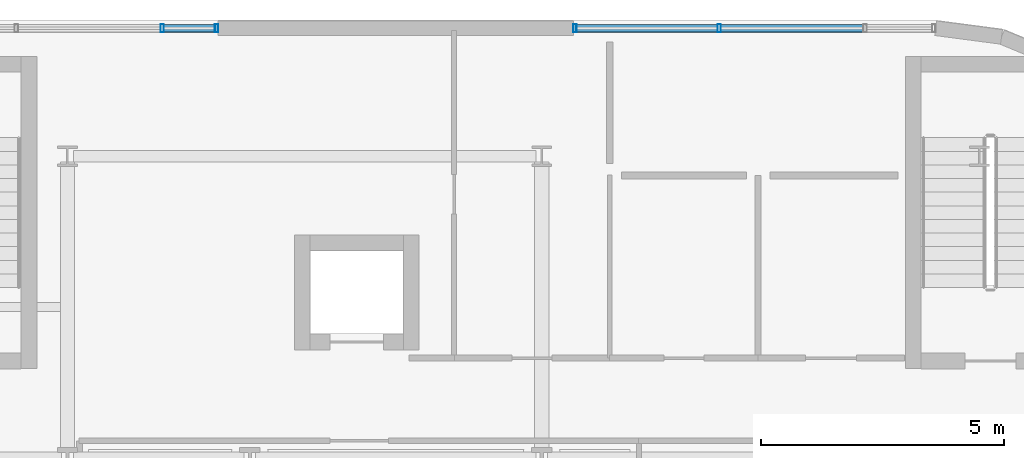
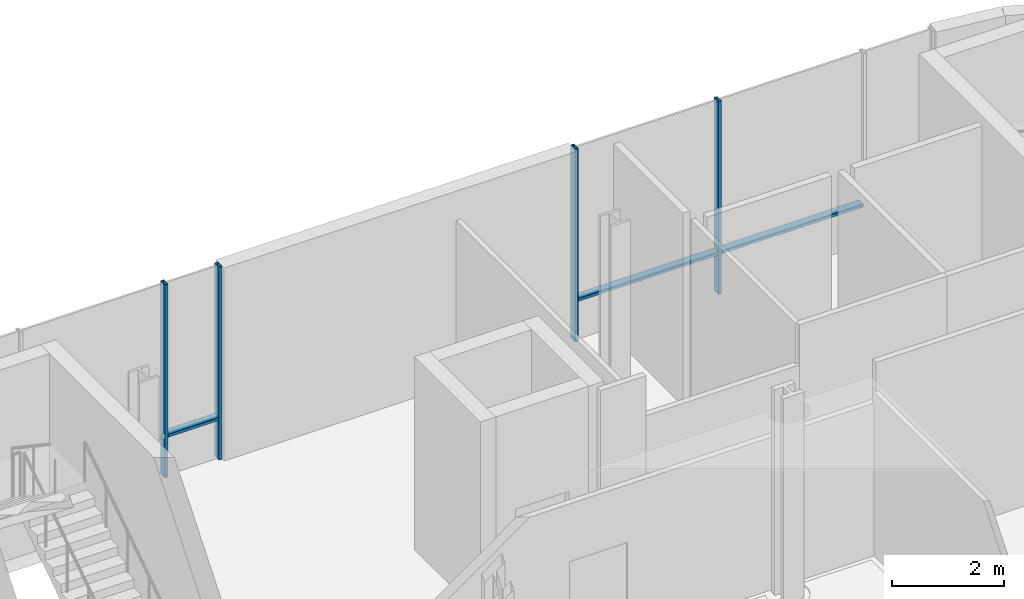
# One storey, part 10 of 26: 7 members, 2 elements without a shape of their own.
"""IFC4 building model written with IfcOpenShell, lengths in metres."""

from ifc_helpers import new_model, si_unit, direction, frame, origin, origin_2d, place, context, subcontext, project, spatial, hollow_rectangle, extrude, material, layer, layer_set, material_profile, profile_set, type_object, element, aggregate, save


model = new_model("IFC4")

# Units and contexts
model_context = context("Model", 3, precision=1e-05, world=origin(), true_north=direction((0.0, 1.0)))
body_context = subcontext(model_context, "Body", "Model", "MODEL_VIEW")
ifc_project = project(units=[si_unit("LENGTHUNIT", "METRE"), si_unit("AREAUNIT", "SQUARE_METRE"), si_unit("VOLUMEUNIT", "CUBIC_METRE"), si_unit("PLANEANGLEUNIT", "RADIAN"), si_unit("MASSUNIT", "GRAM", prefix="KILO")], contexts=[model_context])

# Site, building, storey
site_placement = place(None, origin())
site = spatial("IfcSite", under=ifc_project, at=site_placement, CompositionType="ELEMENT")
building_placement = place(site_placement, origin())
building = spatial("IfcBuilding", under=site, at=building_placement, Name="Brevholm Reach", CompositionType="ELEMENT")
storey_placement = place(building_placement, frame((0.0, 0.0, 18.0)))
storey = spatial("IfcBuildingStorey", under=building, at=storey_placement, Name="L04", CompositionType="ELEMENT", Elevation=18.0)

# Curtain wall, members
ifc_material_1 = material(Name="Dark Anodised Aluminium 6063-T6 and Solar-Control Glass", Category="aluminium")
ifc_layer = layer(ifc_material_1, 0.1650390625)
ifc_layer_set = layer_set([ifc_layer], Name="Dark Anodised Aluminium 6063-T6 and Solar-Control Glass")
curtain_wall_type = type_object("IfcCurtainWallType", Name="CW-03", PredefinedType="NOTDEFINED", material=ifc_layer_set)
curtain_wall_1_placement = place(storey_placement, origin())
curtain_wall_1 = element("IfcCurtainWall", 1, at=curtain_wall_1_placement, inside=storey, type_object=curtain_wall_type, Name="L04 Curtain Wall CW-03", PredefinedType="NOTDEFINED")
ifc_material_2 = material(Name="Dark Anodised Aluminium 6063-T6", Category="aluminium")
ifc_material_profile_1 = material_profile(ifc_material_2, hollow_rectangle(XDim=0.070068359375, YDim=0.1650390625, WallThickness=0.0048828125, InnerFilletRadius=0.0048828125, OuterFilletRadius=0.010009765625, at=origin_2d()), Name="RHS 165x70x5")
ifc_profile_set_1 = profile_set([ifc_material_profile_1], Name="Dark Anodised Aluminium 6063-T6")
member_type_1 = type_object("IfcMemberType", Name="CWM-165", PredefinedType="MULLION", material=ifc_profile_set_1)
member_1_placement = place(storey_placement, frame((40.199951171875, 39.830078125, 0.0), z_axis=(0.0, 0.0, 1.0), x_axis=(1.0, 0.0, 0.0)))
member_1 = element("IfcMember", 2, at=member_1_placement, type_object=member_type_1, Name="CM-165 Mullion 5", PredefinedType="MULLION", context=body_context, shape_type="SweptSolid", body=[
    extrude(hollow_rectangle(XDim=0.070068359375, YDim=0.1650390625, WallThickness=0.0048828125, InnerFilletRadius=0.0048828125, OuterFilletRadius=0.010009765625, at=origin_2d()), origin(), (0.0, 0.0, 1.0), 4.219970703125),
])
member_2_placement = place(storey_placement, frame((41.31494140625, 39.830078125, 0.0), z_axis=(0.0, 0.0, 1.0), x_axis=(1.0, 0.0, 0.0)))
member_2 = element("IfcMember", 3, at=member_2_placement, type_object=member_type_1, Name="CM-165 Mullion 6", PredefinedType="MULLION", context=body_context, shape_type="SweptSolid", body=[
    extrude(hollow_rectangle(XDim=0.070068359375, YDim=0.1650390625, WallThickness=0.0048828125, InnerFilletRadius=0.0048828125, OuterFilletRadius=0.010009765625, at=origin_2d()), origin(), (0.0, 0.0, 1.0), 4.219970703125),
])

curtain_wall_2_placement = place(storey_placement, origin())
curtain_wall_2 = element("IfcCurtainWall", 4, at=curtain_wall_2_placement, inside=storey, type_object=curtain_wall_type, Name="L04 Curtain Wall CW-03", PredefinedType="NOTDEFINED")
member_3_placement = place(storey_placement, frame((48.68505859375, 39.830078125, 0.0), z_axis=(0.0, 0.0, 1.0), x_axis=(1.0, 0.0, 0.0)))
member_3 = element("IfcMember", 5, at=member_3_placement, type_object=member_type_1, Name="CM-165 Mullion 1", PredefinedType="MULLION", context=body_context, shape_type="SweptSolid", body=[
    extrude(hollow_rectangle(XDim=0.070068359375, YDim=0.1650390625, WallThickness=0.0048828125, InnerFilletRadius=0.0048828125, OuterFilletRadius=0.010009765625, at=origin_2d()), origin(), (0.0, 0.0, 1.0), 4.219970703125),
])
member_4_placement = place(storey_placement, frame((51.64990234375, 39.830078125, 0.0), z_axis=(0.0, 0.0, 1.0), x_axis=(1.0, 0.0, 0.0)))
member_4 = element("IfcMember", 6, at=member_4_placement, type_object=member_type_1, Name="CM-165 Mullion 2", PredefinedType="MULLION", context=body_context, shape_type="SweptSolid", body=[
    extrude(hollow_rectangle(XDim=0.070068359375, YDim=0.1650390625, WallThickness=0.0048828125, InnerFilletRadius=0.0048828125, OuterFilletRadius=0.010009765625, at=origin_2d()), origin(), (0.0, 0.0, 1.0), 4.219970703125),
])

# Member
ifc_material_3 = material(Name="Dark Anodised Aluminium 6063-T6", Category="aluminium")
ifc_material_profile_2 = material_profile(ifc_material_3, hollow_rectangle(XDim=0.070068359375, YDim=0.1650390625, WallThickness=0.0048828125, InnerFilletRadius=0.0048828125, OuterFilletRadius=0.010009765625, at=origin_2d()), Name="RHS 165x70x5")
ifc_profile_set_2 = profile_set([ifc_material_profile_2], Name="Dark Anodised Aluminium 6063-T6")
member_type_2 = type_object("IfcMemberType", Name="CWT-165", PredefinedType="NOTDEFINED", material=ifc_profile_set_2)
member_5_placement = place(storey_placement, frame((40.235107421875, 39.830078125, 0.89990234375), z_axis=(1.0, 0.0, 0.0), x_axis=(0.0, 0.0, 1.0)))
member_5 = element("IfcMember", 7, at=member_5_placement, type_object=member_type_2, Name="CT-165 Transom 5.1", ObjectType="TRANSOM", PredefinedType="USERDEFINED", context=body_context, shape_type="SweptSolid", body=[
    extrude(hollow_rectangle(XDim=0.070068359375, YDim=0.1650390625, WallThickness=0.0048828125, InnerFilletRadius=0.0048828125, OuterFilletRadius=0.010009765625, at=origin_2d()), origin(), (0.0, 0.0, 1.0), 1.044921875),
])

aggregate(curtain_wall_1, [member_1, member_2, member_5])

member_6_placement = place(storey_placement, frame((48.719970703125, 39.830078125, 0.89990234375), z_axis=(1.0, 0.0, 0.0), x_axis=(0.0, 0.0, 1.0)))
member_6 = element("IfcMember", 8, at=member_6_placement, type_object=member_type_2, Name="CT-165 Transom 1.1", ObjectType="TRANSOM", PredefinedType="USERDEFINED", context=body_context, shape_type="SweptSolid", body=[
    extrude(hollow_rectangle(XDim=0.070068359375, YDim=0.1650390625, WallThickness=0.0048828125, InnerFilletRadius=0.0048828125, OuterFilletRadius=0.010009765625, at=origin_2d()), origin(), (0.0, 0.0, 1.0), 2.89501953125),
])

member_7_placement = place(storey_placement, frame((51.68505859375, 39.830078125, 0.89990234375), z_axis=(1.0, 0.0, 0.0), x_axis=(0.0, 0.0, 1.0)))
member_7 = element("IfcMember", 9, at=member_7_placement, type_object=member_type_2, Name="CT-165 Transom 2.1", ObjectType="TRANSOM", PredefinedType="USERDEFINED", context=body_context, shape_type="SweptSolid", body=[
    extrude(hollow_rectangle(XDim=0.070068359375, YDim=0.1650390625, WallThickness=0.0048828125, InnerFilletRadius=0.0048828125, OuterFilletRadius=0.010009765625, at=origin_2d()), origin(), (0.0, 0.0, 1.0), 2.929931640625),
])

aggregate(curtain_wall_2, [member_3, member_4, member_6, member_7])

save(model, "model.ifc")
